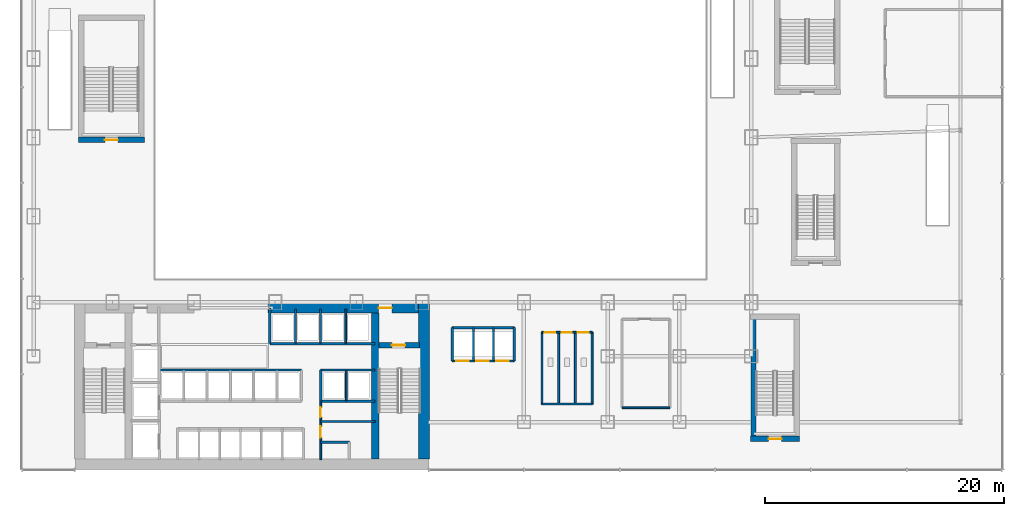
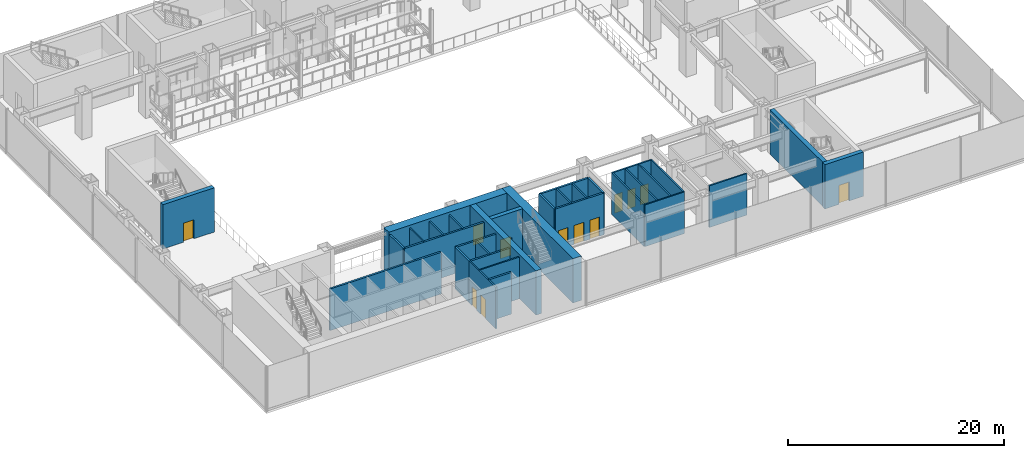
# One storey, part 29 of 39: 33 walls, 12 doors, 12 openings.
"""IFC4 building model written with IfcOpenShell, lengths in metres."""

from ifc_helpers import new_model, si_unit, derived_unit, direction, frame, frame_2d, origin, place, context, subcontext, project, spatial, rectangle, extrude, source, transform, mapped, material, layer, layer_set, type_object, element, fill, save


model = new_model("IFC4")

# Units and contexts
model_context = context("Model", 3, precision=1e-05, world=origin(), true_north=direction((0.0, 1.0)))
body_context = subcontext(model_context, "Body", "Model", "MODEL_VIEW")
ifc_project = project(units=[si_unit("LENGTHUNIT", "METRE"), si_unit("AREAUNIT", "SQUARE_METRE"), si_unit("VOLUMEUNIT", "CUBIC_METRE"), si_unit("PLANEANGLEUNIT", "RADIAN"), si_unit("MASSUNIT", "GRAM", prefix="KILO"), derived_unit("THERMALTRANSMITTANCEUNIT", [(si_unit("POWERUNIT", "WATT"), 1), (si_unit("LENGTHUNIT", "METRE"), -2), (si_unit("THERMODYNAMICTEMPERATUREUNIT", "KELVIN"), -1)])], contexts=[model_context])

# Site, building, storey
site_placement = place(None, origin())
site = spatial("IfcSite", under=ifc_project, at=site_placement, CompositionType="ELEMENT")
building_placement = place(site_placement, origin())
building = spatial("IfcBuilding", under=site, at=building_placement, Name="Skarnbrae Concourse Arena and Tower", CompositionType="ELEMENT")
storey_placement = place(building_placement, frame((0.0, 0.0, 11.0)))
storey = spatial("IfcBuildingStorey", under=building, at=storey_placement, Name="L02", CompositionType="ELEMENT", Elevation=11.0)

# Walls
ifc_material_1 = material(Name="Concrete 70 MPa (C70/85)", Category="concrete")
ifc_layer_1 = layer(ifc_material_1, 0.89990234375)
ifc_layer_set_1 = layer_set([ifc_layer_1], Name="Concrete 70 MPa (C70/85)")
wall_type_1 = type_object("IfcWallType", Name="WALL-CORE-900-C70", PredefinedType="SHEAR", material=ifc_layer_set_1)
shared_shape_1 = source(origin(), body_context, "Body", "SweptSolid", [
    extrude(rectangle(XDim=13.10009765625, YDim=0.89990234375, at=frame_2d((6.550048828125, 0.0))), origin(), (0.0, 0.0, 1.0), 5.0),
])
wall_1_placement = place(storey_placement, frame((33.64990234375, 0.89990234375, 0.0), z_axis=(0.0, 0.0, 1.0), x_axis=(0.0, 1.0, 0.0)))
element("IfcWall", 1, at=wall_1_placement, inside=storey, type_object=wall_type_1, Name="L02 Rear core shear wall CW-E", PredefinedType="SHEAR", context=body_context, shape_type="MappedRepresentation", body=[
    mapped(shared_shape_1, transform((0.0, 0.0, 0.0))),
])
ifc_layer_2 = layer(ifc_material_1, 0.60009765625)
ifc_layer_set_2 = layer_set([ifc_layer_2], Name="Concrete 70 MPa (C70/85)")
wall_type_2 = type_object("IfcWallType", Name="WALL-CORE-600-C70", PredefinedType="SHEAR", material=ifc_layer_set_2)
shared_shape_2 = source(origin(), body_context, "Body", "SweptSolid", [
    extrude(rectangle(XDim=12.2001953125, YDim=0.60009765625, at=frame_2d((6.10009765625, 0.0))), origin(), (0.0, 0.0, 1.0), 5.0),
])
wall_2_placement = place(storey_placement, frame((29.56005859375, 0.89990234375, 0.0), z_axis=(0.0, 0.0, 1.0), x_axis=(0.0, 1.0, 0.0)))
element("IfcWall", 2, at=wall_2_placement, inside=storey, type_object=wall_type_2, Name="L02 Rear core shear wall CW-WEB-E", PredefinedType="SHEAR", context=body_context, shape_type="MappedRepresentation", body=[
    mapped(shared_shape_2, transform((0.0, 0.0, 0.0))),
])

# Wall, opening, door
shared_shape_3 = source(origin(), body_context, "Body", "SweptSolid", [
    extrude(rectangle(XDim=12.599853515625, YDim=0.89990234375, at=frame_2d((6.2998046875, 0.0))), origin(), (0.0, 0.0, 1.0), 5.0),
])
wall_3_placement = place(storey_placement, frame((20.60009765625, 13.550048828125, 0.0), z_axis=(0.0, 0.0, 1.0), x_axis=(1.0, 0.0, 0.0)))
wall_3 = element("IfcWall", 3, at=wall_3_placement, inside=storey, type_object=wall_type_1, Name="L02 Rear core shear wall CW-NE", PredefinedType="SHEAR", context=body_context, shape_type="MappedRepresentation", body=[
    mapped(shared_shape_3, transform((0.0, 0.0, 0.0))),
])
opening_1_placement = place(wall_3_placement, frame((9.25, 0.0, 0.0)))
opening_1 = element("IfcOpeningElement", 4, at=opening_1_placement, cuts=wall_3, Name="Opening DT-03", PredefinedType="OPENING", context=body_context, shape_type="SweptSolid", body=[
    extrude(rectangle(XDim=1.10009765625, YDim=2.14990234375, at=frame_2d((0.550048828125, 1.074951171875))), frame((0.0, 0.4599609375, 0.0), z_axis=(0.0, -1.0, 0.0), x_axis=(1.0, 0.0, 0.0)), (0.0, 0.0, 1.0), 0.919921875),
])
ifc_material_2 = material(Name="Steel CSA G40.21 350W", Category="steel")
door_type_1 = type_object("IfcDoorType", Name="DOOR-FIRE-1100-90M", OperationType="NOTDEFINED", PredefinedType="DOOR", material=ifc_material_2)
shared_shape_4 = source(origin(), body_context, "Body", "SweptSolid", [
    extrude(rectangle(XDim=1.10009765625, YDim=2.14990234375, at=frame_2d((0.550048828125, 1.074951171875))), frame((0.0, 0.02490234375, 0.0), z_axis=(0.0, -1.0, 0.0), x_axis=(1.0, 0.0, 0.0)), (0.0, 0.0, 1.0), 0.050048828125),
])
door_1_placement = place(opening_1_placement, origin())
door_1 = element("IfcDoor", 5, at=door_1_placement, inside=storey, type_object=door_type_1, Name="D-0230 Stair ST-2 Vestibule Door", OperationType="SINGLE_SWING_LEFT", OverallHeight=2.14990234375, OverallWidth=1.10009765625, PredefinedType="DOOR", context=body_context, shape_type="MappedRepresentation", body=[
    mapped(shared_shape_4, transform((0.0, 0.0, 0.0))),
])
fill(opening_1, door_1)

ifc_material_3 = material(Name="Concrete 50 MPa (C50/60)", Category="concrete")
ifc_layer_3 = layer(ifc_material_3, 0.449951171875)
ifc_layer_set_3 = layer_set([ifc_layer_3], Name="Concrete 50 MPa (C50/60)")
wall_type_3 = type_object("IfcWallType", Name="WALL-CORE-450-C50", PredefinedType="SHEAR", material=ifc_layer_set_3)
shared_shape_5 = source(origin(), body_context, "Body", "SweptSolid", [
    extrude(rectangle(XDim=3.389892578125, YDim=0.449951171875, at=frame_2d((1.69482421875, 0.0))), origin(), (0.0, 0.0, 1.0), 5.0),
])
wall_4_placement = place(storey_placement, frame((29.860107421875, 10.419921875, 0.0), z_axis=(0.0, 0.0, 1.0), x_axis=(1.0, 0.0, 0.0)))
wall_4 = element("IfcWall", 6, at=wall_4_placement, inside=storey, type_object=wall_type_3, Name="L02 Rear core shear wall CW-ST2-N", PredefinedType="SHEAR", context=body_context, shape_type="MappedRepresentation", body=[
    mapped(shared_shape_5, transform((0.0, 0.0, 0.0))),
])
opening_2_placement = place(wall_4_placement, frame((1.10009765625, 0.0, 0.0)))
opening_2 = element("IfcOpeningElement", 7, at=opening_2_placement, cuts=wall_4, Name="Opening DT-03", PredefinedType="OPENING", context=body_context, shape_type="SweptSolid", body=[
    extrude(rectangle(XDim=1.10009765625, YDim=2.14990234375, at=frame_2d((0.550048828125, 1.074951171875))), frame((0.0, 0.23486328125, 0.0), z_axis=(0.0, -1.0, 0.0), x_axis=(1.0, 0.0, 0.0)), (0.0, 0.0, 1.0), 0.469970703125),
])
door_2_placement = place(opening_2_placement, frame((1.10009765625, 0.0, 0.0), z_axis=(0.0, 0.0, 1.0), x_axis=(-1.0, 0.0, 0.0)))
door_2 = element("IfcDoor", 8, at=door_2_placement, inside=storey, type_object=door_type_1, Name="D-0228 Stair ST-2 Door", OperationType="SINGLE_SWING_RIGHT", OverallHeight=2.14990234375, OverallWidth=1.10009765625, PredefinedType="DOOR", context=body_context, shape_type="MappedRepresentation", body=[
    mapped(shared_shape_4, transform((0.0, 0.0, 0.0))),
])
fill(opening_2, door_2)

shared_shape_6 = source(origin(), body_context, "Body", "SweptSolid", [
    extrude(rectangle(XDim=4.10009765625, YDim=0.449951171875, at=frame_2d((2.050048828125, 0.0))), origin(), (0.0, 0.0, 1.0), 5.0),
])
wall_5_placement = place(storey_placement, frame((60.949951171875, 2.594970703125, 0.0), z_axis=(0.0, 0.0, 1.0), x_axis=(1.0, 0.0, 0.0)))
wall_5 = element("IfcWall", 9, at=wall_5_placement, inside=storey, type_object=wall_type_3, Name="L02 Protected stair shaft wall ST-A1-S", PredefinedType="SHEAR", context=body_context, shape_type="MappedRepresentation", body=[
    mapped(shared_shape_6, transform((0.0, 0.0, 0.0))),
])
opening_3_placement = place(wall_5_placement, frame((1.5, 0.0, 0.0)))
opening_3 = element("IfcOpeningElement", 10, at=opening_3_placement, cuts=wall_5, Name="Opening DT-03", PredefinedType="OPENING", context=body_context, shape_type="SweptSolid", body=[
    extrude(rectangle(XDim=1.10009765625, YDim=2.14990234375, at=frame_2d((0.550048828125, 1.074951171875))), frame((0.0, 0.23486328125, 0.0), z_axis=(0.0, -1.0, 0.0), x_axis=(1.0, 0.0, 0.0)), (0.0, 0.0, 1.0), 0.469970703125),
])
door_3_placement = place(opening_3_placement, origin())
door_3 = element("IfcDoor", 11, at=door_3_placement, inside=storey, type_object=door_type_1, Name="D-0247 Exit Stair ST-A1 Door", OperationType="SINGLE_SWING_LEFT", OverallHeight=2.14990234375, OverallWidth=1.10009765625, PredefinedType="DOOR", context=body_context, shape_type="MappedRepresentation", body=[
    mapped(shared_shape_4, transform((0.0, 0.0, 0.0))),
])
fill(opening_3, door_3)

# Wall
shared_shape_7 = source(origin(), body_context, "Body", "SweptSolid", [
    extrude(rectangle(XDim=9.800048828125, YDim=0.449951171875, at=frame_2d((4.89990234375, 0.0))), origin(), (0.0, 0.0, 1.0), 5.0),
])
wall_6_placement = place(storey_placement, frame((61.195068359375, 2.800048828125, 0.0), z_axis=(0.0, 0.0, 1.0), x_axis=(0.0, 1.0, 0.0)))
element("IfcWall", 12, at=wall_6_placement, inside=storey, type_object=wall_type_3, Name="L02 Protected stair shaft wall ST-A1-W", PredefinedType="SHEAR", context=body_context, shape_type="MappedRepresentation", body=[
    mapped(shared_shape_7, transform((0.0, 0.0, 0.0))),
])

# Wall, opening, door
shared_shape_8 = source(origin(), body_context, "Body", "SweptSolid", [
    extrude(rectangle(XDim=5.5, YDim=0.449951171875, at=frame_2d((2.75, 0.0))), origin(), (0.0, 0.0, 1.0), 5.0),
])
wall_7_placement = place(storey_placement, frame((4.75, 27.594970703125, 0.0), z_axis=(0.0, 0.0, 1.0), x_axis=(1.0, 0.0, 0.0)))
wall_7 = element("IfcWall", 13, at=wall_7_placement, inside=storey, type_object=wall_type_3, Name="L02 Protected stair shaft wall ST-A3-S", PredefinedType="SHEAR", context=body_context, shape_type="MappedRepresentation", body=[
    mapped(shared_shape_8, transform((0.0, 0.0, 0.0))),
])
opening_4_placement = place(wall_7_placement, frame((2.199951171875, 0.0, 0.0)))
opening_4 = element("IfcOpeningElement", 14, at=opening_4_placement, cuts=wall_7, Name="Opening DT-03", PredefinedType="OPENING", context=body_context, shape_type="SweptSolid", body=[
    extrude(rectangle(XDim=1.10009765625, YDim=2.14990234375, at=frame_2d((0.550048828125, 1.074951171875))), frame((0.0, 0.23486328125, 0.0), z_axis=(0.0, -1.0, 0.0), x_axis=(1.0, 0.0, 0.0)), (0.0, 0.0, 1.0), 0.469970703125),
])
door_4_placement = place(opening_4_placement, origin())
door_4 = element("IfcDoor", 15, at=door_4_placement, inside=storey, type_object=door_type_1, Name="D-0249 Exit Stair ST-A3 Door", OperationType="SINGLE_SWING_LEFT", OverallHeight=2.14990234375, OverallWidth=1.10009765625, PredefinedType="DOOR", context=body_context, shape_type="MappedRepresentation", body=[
    mapped(shared_shape_4, transform((0.0, 0.0, 0.0))),
])
fill(opening_4, door_4)

# Walls
ifc_material_4 = material(Name="Gypsum board on cold-formed steel studs", Category="steel")
ifc_layer_4 = layer(ifc_material_4, 0.199951171875)
ifc_layer_set_4 = layer_set([ifc_layer_4], Name="Gypsum board on cold-formed steel studs")
wall_type_4 = type_object("IfcWallType", Name="WALL-PART-200-2HR", PredefinedType="PARTITIONING", material=ifc_layer_set_4)
shared_shape_9 = source(origin(), body_context, "Body", "SweptSolid", [
    extrude(rectangle(XDim=11.849853515625, YDim=0.199951171875, at=frame_2d((5.9248046875, 0.0))), origin(), (0.0, 0.0, 1.0), 4.699951171875),
])
wall_8_placement = place(storey_placement, frame((11.550048828125, 8.35009765625, 0.0), z_axis=(0.0, 0.0, 1.0), x_axis=(1.0, 0.0, 0.0)))
element("IfcWall", 16, at=wall_8_placement, inside=storey, type_object=wall_type_4, Name="L02 Interior partition wall W-L02-B2-N", PredefinedType="PARTITIONING", context=body_context, shape_type="MappedRepresentation", body=[
    mapped(shared_shape_9, transform((0.0, 0.0, 0.0))),
])
shared_shape_10 = source(origin(), body_context, "Body", "SweptSolid", [
    extrude(rectangle(XDim=2.60009765625, YDim=0.199951171875, at=frame_2d((1.300048828125, 0.0))), origin(), (0.0, 0.0, 1.0), 4.699951171875),
])
wall_9_placement = place(storey_placement, frame((25.0, 5.75, 0.0), z_axis=(0.0, 0.0, 1.0), x_axis=(0.0, 1.0, 0.0)))
element("IfcWall", 17, at=wall_9_placement, inside=storey, type_object=wall_type_4, Name="L02 Interior partition wall W-L02-B3S-W", PredefinedType="PARTITIONING", context=body_context, shape_type="MappedRepresentation", body=[
    mapped(shared_shape_10, transform((0.0, 0.0, 0.0))),
])

# Wall, openings, doors
ifc_layer_5 = layer(ifc_material_4, 0.14990234375)
ifc_layer_set_5 = layer_set([ifc_layer_5], Name="Gypsum board on cold-formed steel studs")
wall_type_5 = type_object("IfcWallType", Name="WALL-PART-150-1HR", PredefinedType="PARTITIONING", material=ifc_layer_set_5)
shared_shape_11 = source(origin(), body_context, "Body", "SweptSolid", [
    extrude(rectangle(XDim=4.89990234375, YDim=0.14990234375, at=frame_2d((2.449951171875, 0.0))), origin(), (0.0, 0.0, 1.0), 4.699951171875),
])
wall_10_placement = place(storey_placement, frame((25.0, 0.85009765625, 0.0), z_axis=(0.0, 0.0, 1.0), x_axis=(0.0, 1.0, 0.0)))
wall_10 = element("IfcWall", 18, at=wall_10_placement, inside=storey, type_object=wall_type_5, Name="L02 Interior partition wall W-L02-CSV-W", PredefinedType="PARTITIONING", context=body_context, shape_type="MappedRepresentation", body=[
    mapped(shared_shape_11, transform((0.0, 0.0, 0.0))),
])
opening_5_placement = place(wall_10_placement, frame((1.85009765625, 0.0, 0.0)))
opening_5 = element("IfcOpeningElement", 19, at=opening_5_placement, cuts=wall_10, Name="Opening DT-04", PredefinedType="OPENING", context=body_context, shape_type="SweptSolid", body=[
    extrude(rectangle(XDim=0.949951171875, YDim=2.14990234375, at=frame_2d((0.47509765625, 1.074951171875))), frame((0.0, 0.0849609375, 0.0), z_axis=(0.0, -1.0, 0.0), x_axis=(1.0, 0.0, 0.0)), (0.0, 0.0, 1.0), 0.169921875),
])
opening_6_placement = place(wall_10_placement, frame((3.550048828125, 0.0, 0.0)))
opening_6 = element("IfcOpeningElement", 20, at=opening_6_placement, cuts=wall_10, Name="Opening DT-08", PredefinedType="OPENING", context=body_context, shape_type="SweptSolid", body=[
    extrude(rectangle(XDim=0.85009765625, YDim=2.14990234375, at=frame_2d((0.425048828125, 1.074951171875))), frame((0.0, 0.0849609375, 0.0), z_axis=(0.0, -1.0, 0.0), x_axis=(1.0, 0.0, 0.0)), (0.0, 0.0, 1.0), 0.169921875),
])
door_type_2 = type_object("IfcDoorType", Name="DOOR-INT-950-45M", OperationType="NOTDEFINED", PredefinedType="DOOR", material=ifc_material_2)
shared_shape_12 = source(origin(), body_context, "Body", "SweptSolid", [
    extrude(rectangle(XDim=0.949951171875, YDim=2.14990234375, at=frame_2d((0.47509765625, 1.074951171875))), frame((0.0, 0.02490234375, 0.0), z_axis=(0.0, -1.0, 0.0), x_axis=(1.0, 0.0, 0.0)), (0.0, 0.0, 1.0), 0.050048828125),
])
door_5_placement = place(opening_5_placement, origin())
door_5 = element("IfcDoor", 21, at=door_5_placement, inside=storey, type_object=door_type_2, Name="D-0234 Core Staff WC Door", OperationType="SINGLE_SWING_RIGHT", OverallHeight=2.14990234375, OverallWidth=0.949951171875, PredefinedType="DOOR", context=body_context, shape_type="MappedRepresentation", body=[
    mapped(shared_shape_12, transform((0.0, 0.0, 0.0))),
])
fill(opening_5, door_5)
door_type_3 = type_object("IfcDoorType", Name="DOOR-INT-850-45M", OperationType="NOTDEFINED", PredefinedType="DOOR", material=ifc_material_2)
shared_shape_13 = source(origin(), body_context, "Body", "SweptSolid", [
    extrude(rectangle(XDim=0.85009765625, YDim=2.14990234375, at=frame_2d((0.425048828125, 1.074951171875))), frame((0.0, 0.02490234375, 0.0), z_axis=(0.0, -1.0, 0.0), x_axis=(1.0, 0.0, 0.0)), (0.0, 0.0, 1.0), 0.050048828125),
])
door_6_placement = place(opening_6_placement, origin())
door_6 = element("IfcDoor", 22, at=door_6_placement, inside=storey, type_object=door_type_3, Name="D-0235 IT Patch Room Door", OperationType="SINGLE_SWING_LEFT", OverallHeight=2.14990234375, OverallWidth=0.85009765625, PredefinedType="DOOR", context=body_context, shape_type="MappedRepresentation", body=[
    mapped(shared_shape_13, transform((0.0, 0.0, 0.0))),
])
fill(opening_6, door_6)

# Walls
shared_shape_14 = source(origin(), body_context, "Body", "SweptSolid", [
    extrude(rectangle(XDim=2.39990234375, YDim=0.199951171875, at=frame_2d((1.199951171875, 0.0))), origin(), (0.0, 0.0, 1.0), 4.699951171875),
])
wall_11_placement = place(storey_placement, frame((25.0, 2.300048828125, 0.0), z_axis=(0.0, 0.0, 1.0), x_axis=(1.0, 0.0, 0.0)))
element("IfcWall", 23, at=wall_11_placement, inside=storey, type_object=wall_type_4, Name="L02 Interior partition wall W-L02-MEP-N", PredefinedType="PARTITIONING", context=body_context, shape_type="MappedRepresentation", body=[
    mapped(shared_shape_14, transform((0.0, 0.0, 0.0))),
])
ifc_layer_6 = layer(ifc_material_4, 0.14990234375)
ifc_layer_set_6 = layer_set([ifc_layer_6], Name="Gypsum board on cold-formed steel studs")
wall_type_6 = type_object("IfcWallType", Name="WALL-PART-150", PredefinedType="PARTITIONING", material=ifc_layer_set_6)
shared_shape_15 = source(origin(), body_context, "Body", "SweptSolid", [
    extrude(rectangle(XDim=4.550048828125, YDim=0.14990234375, at=frame_2d((2.27490234375, 0.0))), origin(), (0.0, 0.0, 1.0), 4.699951171875),
])
wall_12_placement = place(storey_placement, frame((25.0, 4.050048828125, 0.0), z_axis=(0.0, 0.0, 1.0), x_axis=(1.0, 0.0, 0.0)))
element("IfcWall", 24, at=wall_12_placement, inside=storey, type_object=wall_type_6, Name="L02 Interior partition wall W-L02-CSV-H2", PredefinedType="PARTITIONING", context=body_context, shape_type="MappedRepresentation", body=[
    mapped(shared_shape_15, transform((0.0, 0.0, 0.0))),
])

# Wall, openings, doors
shared_shape_16 = source(origin(), body_context, "Body", "SweptSolid", [
    extrude(rectangle(XDim=5.199951171875, YDim=0.199951171875, at=frame_2d((2.60009765625, 0.0))), origin(), (0.0, 0.0, 1.0), 4.699951171875),
])
wall_13_placement = place(storey_placement, frame((36.0, 9.10009765625, 0.0), z_axis=(0.0, 0.0, 1.0), x_axis=(1.0, 0.0, 0.0)))
wall_13 = element("IfcWall", 25, at=wall_13_placement, inside=storey, type_object=wall_type_4, Name="L02 Interior partition wall W-L02-PLP-S", PredefinedType="PARTITIONING", context=body_context, shape_type="MappedRepresentation", body=[
    mapped(shared_shape_16, transform((0.0, 0.0, 0.0))),
])
opening_7_placement = place(wall_13_placement, frame((0.320068359375, 0.0, 0.0)))
opening_7 = element("IfcOpeningElement", 26, at=opening_7_placement, cuts=wall_13, Name="Opening LD-03", PredefinedType="OPENING", context=body_context, shape_type="SweptSolid", body=[
    extrude(rectangle(XDim=1.050048828125, YDim=2.14990234375, at=frame_2d((0.52490234375, 1.074951171875))), frame((0.0, 0.10986328125, 0.0), z_axis=(0.0, -1.0, 0.0), x_axis=(1.0, 0.0, 0.0)), (0.0, 0.0, 1.0), 0.219970703125),
])
opening_8_placement = place(wall_13_placement, frame((2.0, 0.0, 0.0)))
opening_8 = element("IfcOpeningElement", 27, at=opening_8_placement, cuts=wall_13, Name="Opening LD-03", PredefinedType="OPENING", context=body_context, shape_type="SweptSolid", body=[
    extrude(rectangle(XDim=1.050048828125, YDim=2.14990234375, at=frame_2d((0.52490234375, 1.074951171875))), frame((0.0, 0.10986328125, 0.0), z_axis=(0.0, -1.0, 0.0), x_axis=(1.0, 0.0, 0.0)), (0.0, 0.0, 1.0), 0.219970703125),
])
opening_9_placement = place(wall_13_placement, frame((3.679931640625, 0.0, 0.0)))
opening_9 = element("IfcOpeningElement", 28, at=opening_9_placement, cuts=wall_13, Name="Opening LD-03", PredefinedType="OPENING", context=body_context, shape_type="SweptSolid", body=[
    extrude(rectangle(XDim=1.050048828125, YDim=2.14990234375, at=frame_2d((0.52490234375, 1.074951171875))), frame((0.0, 0.10986328125, 0.0), z_axis=(0.0, -1.0, 0.0), x_axis=(1.0, 0.0, 0.0)), (0.0, 0.0, 1.0), 0.219970703125),
])
ifc_material_5 = material(Name="Bronze anodised aluminium 6063-T6", Category="aluminium")
door_type_4 = type_object("IfcDoorType", Name="DOOR-LIFT-SLIDE-1050", OperationType="SLIDING_TO_LEFT", PredefinedType="DOOR", material=ifc_material_5)
shared_shape_17 = source(origin(), body_context, "Body", "SweptSolid", [
    extrude(rectangle(XDim=1.050048828125, YDim=2.14990234375, at=frame_2d((0.52490234375, 1.074951171875))), frame((0.0, 0.02490234375, 0.0), z_axis=(0.0, -1.0, 0.0), x_axis=(1.0, 0.0, 0.0)), (0.0, 0.0, 1.0), 0.050048828125),
])
door_7_placement = place(opening_7_placement, frame((1.050048828125, 0.0, 0.0), z_axis=(0.0, 0.0, 1.0), x_axis=(-1.0, 0.0, 0.0)))
door_7 = element("IfcDoor", 29, at=door_7_placement, inside=storey, type_object=door_type_4, Name="D-0236 Transit Lift Landing Door PL-P1", OperationType="SLIDING_TO_LEFT", OverallHeight=2.14990234375, OverallWidth=1.050048828125, PredefinedType="DOOR", context=body_context, shape_type="MappedRepresentation", body=[
    mapped(shared_shape_17, transform((0.0, 0.0, 0.0))),
])
fill(opening_7, door_7)
door_8_placement = place(opening_8_placement, frame((1.050048828125, 0.0, 0.0), z_axis=(0.0, 0.0, 1.0), x_axis=(-1.0, 0.0, 0.0)))
door_8 = element("IfcDoor", 30, at=door_8_placement, inside=storey, type_object=door_type_4, Name="D-0237 Transit Lift Landing Door PL-P2", OperationType="SLIDING_TO_LEFT", OverallHeight=2.14990234375, OverallWidth=1.050048828125, PredefinedType="DOOR", context=body_context, shape_type="MappedRepresentation", body=[
    mapped(shared_shape_17, transform((0.0, 0.0, 0.0))),
])
fill(opening_8, door_8)
door_9_placement = place(opening_9_placement, frame((1.050048828125, 0.0, 0.0), z_axis=(0.0, 0.0, 1.0), x_axis=(-1.0, 0.0, 0.0)))
door_9 = element("IfcDoor", 31, at=door_9_placement, inside=storey, type_object=door_type_4, Name="D-0238 Transit Lift Landing Door PL-P3", OperationType="SLIDING_TO_LEFT", OverallHeight=2.14990234375, OverallWidth=1.050048828125, PredefinedType="DOOR", context=body_context, shape_type="MappedRepresentation", body=[
    mapped(shared_shape_17, transform((0.0, 0.0, 0.0))),
])
fill(opening_9, door_9)

# Walls
wall_14_placement = place(storey_placement, frame((36.0, 11.89990234375, 0.0), z_axis=(0.0, 0.0, 1.0), x_axis=(1.0, 0.0, 0.0)))
element("IfcWall", 32, at=wall_14_placement, inside=storey, type_object=wall_type_4, Name="L02 Interior partition wall W-L02-PLP-N", PredefinedType="PARTITIONING", context=body_context, shape_type="MappedRepresentation", body=[
    mapped(shared_shape_16, transform((0.0, 0.0, 0.0))),
])
shared_shape_18 = source(origin(), body_context, "Body", "SweptSolid", [
    extrude(rectangle(XDim=2.7998046875, YDim=0.199951171875, at=frame_2d((1.39990234375, 0.0))), origin(), (0.0, 0.0, 1.0), 4.699951171875),
])
for number, where, z_axis, x_axis, name in (
    (33, (36.0, 9.10009765625, 0.0), (0.0, 0.0, 1.0), (0.0, 1.0, 0.0), "L02 Interior partition wall W-L02-PLP-W"),
    (34, (41.199951171875, 9.10009765625, 0.0), (0.0, 0.0, 1.0), (0.0, 1.0, 0.0), "L02 Interior partition wall W-L02-PLP-E"),
):
    element("IfcWall", number, at=place(storey_placement, frame(where, z_axis=z_axis, x_axis=x_axis)), inside=storey, type_object=wall_type_4, Name=name, PredefinedType="PARTITIONING", context=body_context, shape_type="MappedRepresentation", body=[
        mapped(shared_shape_18, transform((0.0, 0.0, 0.0))),
    ])
shared_shape_19 = source(origin(), body_context, "Body", "SweptSolid", [
    extrude(rectangle(XDim=2.7001953125, YDim=0.14990234375, at=frame_2d((1.35009765625, 0.0))), origin(), (0.0, 0.0, 1.0), 4.699951171875),
])
for number, where, z_axis, x_axis, name in (
    (35, (37.780029296875, 9.14990234375, 0.0), (0.0, 0.0, 1.0), (0.0, 1.0, 0.0), "L02 Interior partition wall W-L02-PLP-D1"),
    (36, (39.4599609375, 9.14990234375, 0.0), (0.0, 0.0, 1.0), (0.0, 1.0, 0.0), "L02 Interior partition wall W-L02-PLP-D2"),
):
    element("IfcWall", number, at=place(storey_placement, frame(where, z_axis=z_axis, x_axis=x_axis)), inside=storey, type_object=wall_type_6, Name=name, PredefinedType="PARTITIONING", context=body_context, shape_type="MappedRepresentation", body=[
        mapped(shared_shape_19, transform((0.0, 0.0, 0.0))),
    ])
shared_shape_20 = source(origin(), body_context, "Body", "SweptSolid", [
    extrude(rectangle(XDim=2.5, YDim=0.14990234375, at=frame_2d((1.25, 0.0))), origin(), (0.0, 0.0, 1.0), 4.699951171875),
])
wall_15_placement = place(storey_placement, frame((27.139892578125, 5.800048828125, 0.0), z_axis=(0.0, 0.0, 1.0), x_axis=(0.0, 1.0, 0.0)))
element("IfcWall", 37, at=wall_15_placement, inside=storey, type_object=wall_type_6, Name="L02 Interior partition wall W-L02-B3S-P1", PredefinedType="PARTITIONING", context=body_context, shape_type="MappedRepresentation", body=[
    mapped(shared_shape_20, transform((0.0, 0.0, 0.0))),
])
shared_shape_21 = source(origin(), body_context, "Body", "SweptSolid", [
    extrude(rectangle(XDim=8.800048828125, YDim=0.199951171875, at=frame_2d((4.39990234375, 0.0))), origin(), (0.0, 0.0, 1.0), 4.699951171875),
])
wall_16_placement = place(storey_placement, frame((20.75, 10.550048828125, 0.0), z_axis=(0.0, 0.0, 1.0), x_axis=(1.0, 0.0, 0.0)))
element("IfcWall", 38, at=wall_16_placement, inside=storey, type_object=wall_type_4, Name="L02 Interior partition wall W-L02-B3N-S", PredefinedType="PARTITIONING", context=body_context, shape_type="MappedRepresentation", body=[
    mapped(shared_shape_21, transform((0.0, 0.0, 0.0))),
])
shared_shape_22 = source(origin(), body_context, "Body", "SweptSolid", [
    extrude(rectangle(XDim=3.0, YDim=0.199951171875, at=frame_2d((1.5, 0.0))), origin(), (0.0, 0.0, 1.0), 4.699951171875),
])
wall_17_placement = place(storey_placement, frame((20.75, 10.550048828125, 0.0), z_axis=(0.0, 0.0, 1.0), x_axis=(0.0, 1.0, 0.0)))
element("IfcWall", 39, at=wall_17_placement, inside=storey, type_object=wall_type_4, Name="L02 Interior partition wall W-L02-B3N-W", PredefinedType="PARTITIONING", context=body_context, shape_type="MappedRepresentation", body=[
    mapped(shared_shape_22, transform((0.0, 0.0, 0.0))),
])
shared_shape_23 = source(origin(), body_context, "Body", "SweptSolid", [
    extrude(rectangle(XDim=2.849853515625, YDim=0.14990234375, at=frame_2d((1.4248046875, 0.0))), origin(), (0.0, 0.0, 1.0), 4.699951171875),
])
for number, where, z_axis, x_axis, name in (
    (40, (22.889892578125, 10.60009765625, 0.0), (0.0, 0.0, 1.0), (0.0, 1.0, 0.0), "L02 Interior partition wall W-L02-B3N-P1"),
    (41, (24.989990234375, 10.60009765625, 0.0), (0.0, 0.0, 1.0), (0.0, 1.0, 0.0), "L02 Interior partition wall W-L02-B3N-P2"),
    (42, (27.090087890625, 10.60009765625, 0.0), (0.0, 0.0, 1.0), (0.0, 1.0, 0.0), "L02 Interior partition wall W-L02-B3N-P3"),
):
    element("IfcWall", number, at=place(storey_placement, frame(where, z_axis=z_axis, x_axis=x_axis)), inside=storey, type_object=wall_type_6, Name=name, PredefinedType="PARTITIONING", context=body_context, shape_type="MappedRepresentation", body=[
        mapped(shared_shape_23, transform((0.0, 0.0, 0.0))),
    ])
shared_shape_24 = source(origin(), body_context, "Body", "SweptSolid", [
    extrude(rectangle(XDim=4.550048828125, YDim=0.199951171875, at=frame_2d((2.27490234375, 0.0))), origin(), (0.0, 0.0, 1.0), 4.699951171875),
])
for number, where, z_axis, x_axis, name in (
    (43, (25.0, 8.35009765625, 0.0), (0.0, 0.0, 1.0), (1.0, 0.0, 0.0), "L02 Interior partition wall W-L02-B3S-N"),
    (44, (25.0, 5.75, 0.0), (0.0, 0.0, 1.0), (1.0, 0.0, 0.0), "L02 Interior partition wall W-L02-B3S-S"),
):
    element("IfcWall", number, at=place(storey_placement, frame(where, z_axis=z_axis, x_axis=x_axis)), inside=storey, type_object=wall_type_4, Name=name, PredefinedType="PARTITIONING", context=body_context, shape_type="MappedRepresentation", body=[
        mapped(shared_shape_24, transform((0.0, 0.0, 0.0))),
    ])

# Wall, openings, doors
shared_shape_25 = source(origin(), body_context, "Body", "SweptSolid", [
    extrude(rectangle(XDim=4.199951171875, YDim=0.14990234375, at=frame_2d((2.10009765625, 0.0))), origin(), (0.0, 0.0, 1.0), 4.699951171875),
])
wall_18_placement = place(storey_placement, frame((43.5, 11.5, 0.0), z_axis=(0.0, 0.0, 1.0), x_axis=(1.0, 0.0, 0.0)))
wall_18 = element("IfcWall", 45, at=wall_18_placement, inside=storey, type_object=wall_type_6, Name="L02 Interior partition wall W-L02-PWC-N", PredefinedType="PARTITIONING", context=body_context, shape_type="MappedRepresentation", body=[
    mapped(shared_shape_25, transform((0.0, 0.0, 0.0))),
])
opening_10_placement = place(wall_18_placement, frame((0.25, 0.0, 0.0)))
opening_10 = element("IfcOpeningElement", 46, at=opening_10_placement, cuts=wall_18, Name="Opening DT-06", PredefinedType="OPENING", context=body_context, shape_type="SweptSolid", body=[
    extrude(rectangle(XDim=0.85009765625, YDim=2.10009765625, at=frame_2d((0.425048828125, 1.050048828125))), frame((0.0, 0.0849609375, 0.0), z_axis=(0.0, -1.0, 0.0), x_axis=(1.0, 0.0, 0.0)), (0.0, 0.0, 1.0), 0.169921875),
])
opening_11_placement = place(wall_18_placement, frame((1.64990234375, 0.0, 0.0)))
opening_11 = element("IfcOpeningElement", 47, at=opening_11_placement, cuts=wall_18, Name="Opening DT-06", PredefinedType="OPENING", context=body_context, shape_type="SweptSolid", body=[
    extrude(rectangle(XDim=0.85009765625, YDim=2.10009765625, at=frame_2d((0.425048828125, 1.050048828125))), frame((0.0, 0.0849609375, 0.0), z_axis=(0.0, -1.0, 0.0), x_axis=(1.0, 0.0, 0.0)), (0.0, 0.0, 1.0), 0.169921875),
])
opening_12_placement = place(wall_18_placement, frame((3.0, 0.0, 0.0)))
opening_12 = element("IfcOpeningElement", 48, at=opening_12_placement, cuts=wall_18, Name="Opening DT-05", PredefinedType="OPENING", context=body_context, shape_type="SweptSolid", body=[
    extrude(rectangle(XDim=0.89990234375, YDim=2.10009765625, at=frame_2d((0.449951171875, 1.050048828125))), frame((0.0, 0.0849609375, 0.0), z_axis=(0.0, -1.0, 0.0), x_axis=(1.0, 0.0, 0.0)), (0.0, 0.0, 1.0), 0.169921875),
])
ifc_material_6 = material(Name="Architectural oak veneer timber leaf", Category="wood")
door_type_5 = type_object("IfcDoorType", Name="DOOR-INT-850", OperationType="NOTDEFINED", PredefinedType="DOOR", material=ifc_material_6)
shared_shape_26 = source(origin(), body_context, "Body", "SweptSolid", [
    extrude(rectangle(XDim=0.85009765625, YDim=2.10009765625, at=frame_2d((0.425048828125, 1.050048828125))), frame((0.0, 0.02490234375, 0.0), z_axis=(0.0, -1.0, 0.0), x_axis=(1.0, 0.0, 0.0)), (0.0, 0.0, 1.0), 0.050048828125),
])
door_10_placement = place(opening_10_placement, frame((0.85009765625, 0.0, 0.0), z_axis=(0.0, 0.0, 1.0), x_axis=(-1.0, 0.0, 0.0)))
door_10 = element("IfcDoor", 49, at=door_10_placement, inside=storey, type_object=door_type_5, Name="D-0239 Public Male WC Door", OperationType="SINGLE_SWING_LEFT", OverallHeight=2.10009765625, OverallWidth=0.85009765625, PredefinedType="DOOR", context=body_context, shape_type="MappedRepresentation", body=[
    mapped(shared_shape_26, transform((0.0, 0.0, 0.0))),
])
fill(opening_10, door_10)
door_11_placement = place(opening_11_placement, frame((0.85009765625, 0.0, 0.0), z_axis=(0.0, 0.0, 1.0), x_axis=(-1.0, 0.0, 0.0)))
door_11 = element("IfcDoor", 50, at=door_11_placement, inside=storey, type_object=door_type_5, Name="D-0240 Public Female WC Door", OperationType="SINGLE_SWING_RIGHT", OverallHeight=2.10009765625, OverallWidth=0.85009765625, PredefinedType="DOOR", context=body_context, shape_type="MappedRepresentation", body=[
    mapped(shared_shape_26, transform((0.0, 0.0, 0.0))),
])
fill(opening_11, door_11)
door_type_6 = type_object("IfcDoorType", Name="DOOR-INT-900", OperationType="NOTDEFINED", PredefinedType="DOOR", material=ifc_material_6)
shared_shape_27 = source(origin(), body_context, "Body", "SweptSolid", [
    extrude(rectangle(XDim=0.89990234375, YDim=2.10009765625, at=frame_2d((0.449951171875, 1.050048828125))), frame((0.0, 0.02490234375, 0.0), z_axis=(0.0, -1.0, 0.0), x_axis=(1.0, 0.0, 0.0)), (0.0, 0.0, 1.0), 0.050048828125),
])
door_12_placement = place(opening_12_placement, frame((0.89990234375, 0.0, 0.0), z_axis=(0.0, 0.0, 1.0), x_axis=(-1.0, 0.0, 0.0)))
door_12 = element("IfcDoor", 51, at=door_12_placement, inside=storey, type_object=door_type_6, Name="D-0241 Public Accessible WC Door", OperationType="SINGLE_SWING_LEFT", OverallHeight=2.10009765625, OverallWidth=0.89990234375, PredefinedType="DOOR", context=body_context, shape_type="MappedRepresentation", body=[
    mapped(shared_shape_27, transform((0.0, 0.0, 0.0))),
])
fill(opening_12, door_12)

# Walls
wall_19_placement = place(storey_placement, frame((43.5, 5.5, 0.0), z_axis=(0.0, 0.0, 1.0), x_axis=(1.0, 0.0, 0.0)))
element("IfcWall", 52, at=wall_19_placement, inside=storey, type_object=wall_type_6, Name="L02 Interior partition wall W-L02-PWC-S", PredefinedType="PARTITIONING", context=body_context, shape_type="MappedRepresentation", body=[
    mapped(shared_shape_25, transform((0.0, 0.0, 0.0))),
])
shared_shape_28 = source(origin(), body_context, "Body", "SweptSolid", [
    extrude(rectangle(XDim=6.0, YDim=0.14990234375, at=frame_2d((3.0, 0.0))), origin(), (0.0, 0.0, 1.0), 4.699951171875),
])
for number, where, z_axis, x_axis, name in (
    (53, (43.5, 5.5, 0.0), (0.0, 0.0, 1.0), (0.0, 1.0, 0.0), "L02 Interior partition wall W-L02-PWC-W"),
    (54, (47.699951171875, 5.5, 0.0), (0.0, 0.0, 1.0), (0.0, 1.0, 0.0), "L02 Interior partition wall W-L02-PWC-E"),
    (55, (44.89990234375, 5.5, 0.0), (0.0, 0.0, 1.0), (0.0, 1.0, 0.0), "L02 Interior partition wall W-L02-PWC-D1"),
    (56, (46.300048828125, 5.5, 0.0), (0.0, 0.0, 1.0), (0.0, 1.0, 0.0), "L02 Interior partition wall W-L02-PWC-D2"),
):
    element("IfcWall", number, at=place(storey_placement, frame(where, z_axis=z_axis, x_axis=x_axis)), inside=storey, type_object=wall_type_6, Name=name, PredefinedType="PARTITIONING", context=body_context, shape_type="MappedRepresentation", body=[
        mapped(shared_shape_28, transform((0.0, 0.0, 0.0))),
    ])
shared_shape_29 = source(origin(), body_context, "Body", "SweptSolid", [
    extrude(rectangle(XDim=4.0, YDim=0.14990234375, at=frame_2d((2.0, 0.0))), origin(), (0.0, 0.0, 1.0), 4.699951171875),
])
wall_20_placement = place(storey_placement, frame((50.199951171875, 5.199951171875, 0.0), z_axis=(0.0, 0.0, 1.0), x_axis=(1.0, 0.0, 0.0)))
element("IfcWall", 57, at=wall_20_placement, inside=storey, type_object=wall_type_5, Name="L02 Interior partition wall W-L02-CAT-S", PredefinedType="PARTITIONING", context=body_context, shape_type="MappedRepresentation", body=[
    mapped(shared_shape_29, transform((0.0, 0.0, 0.0))),
])

save(model, "model.ifc")
